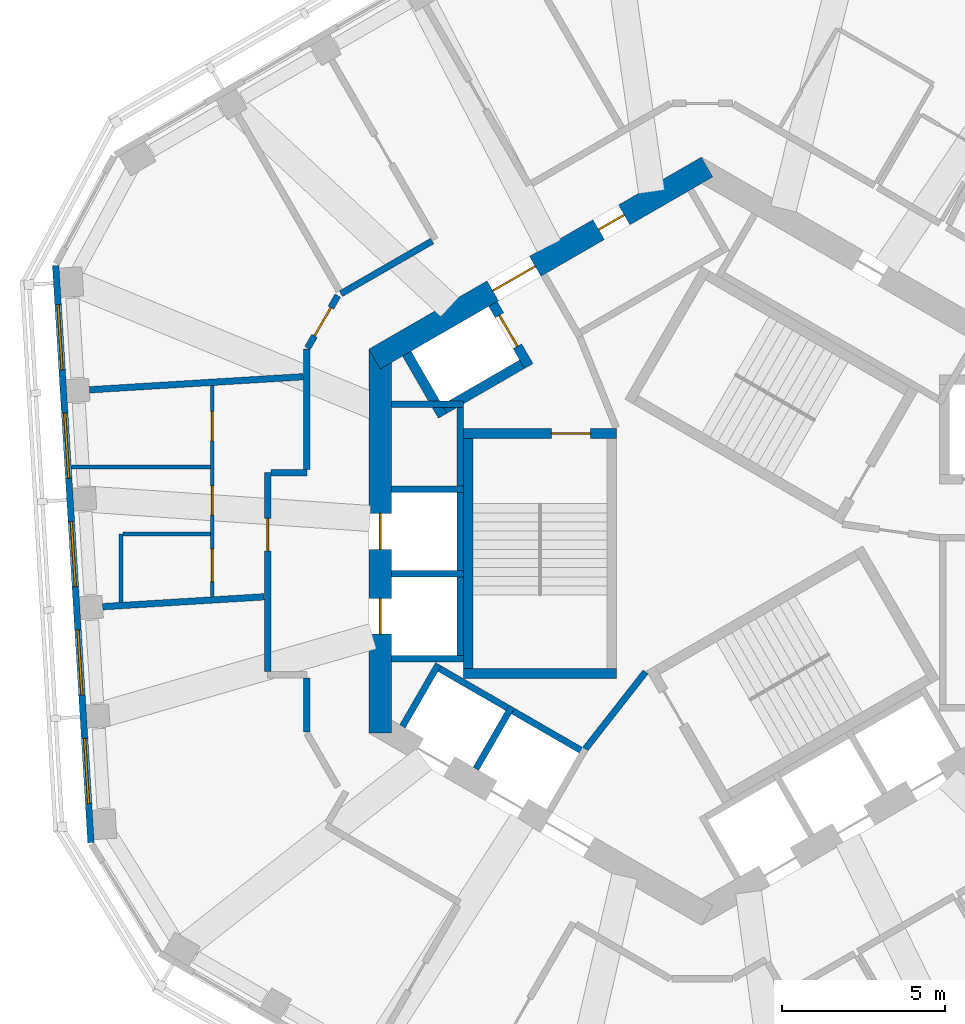
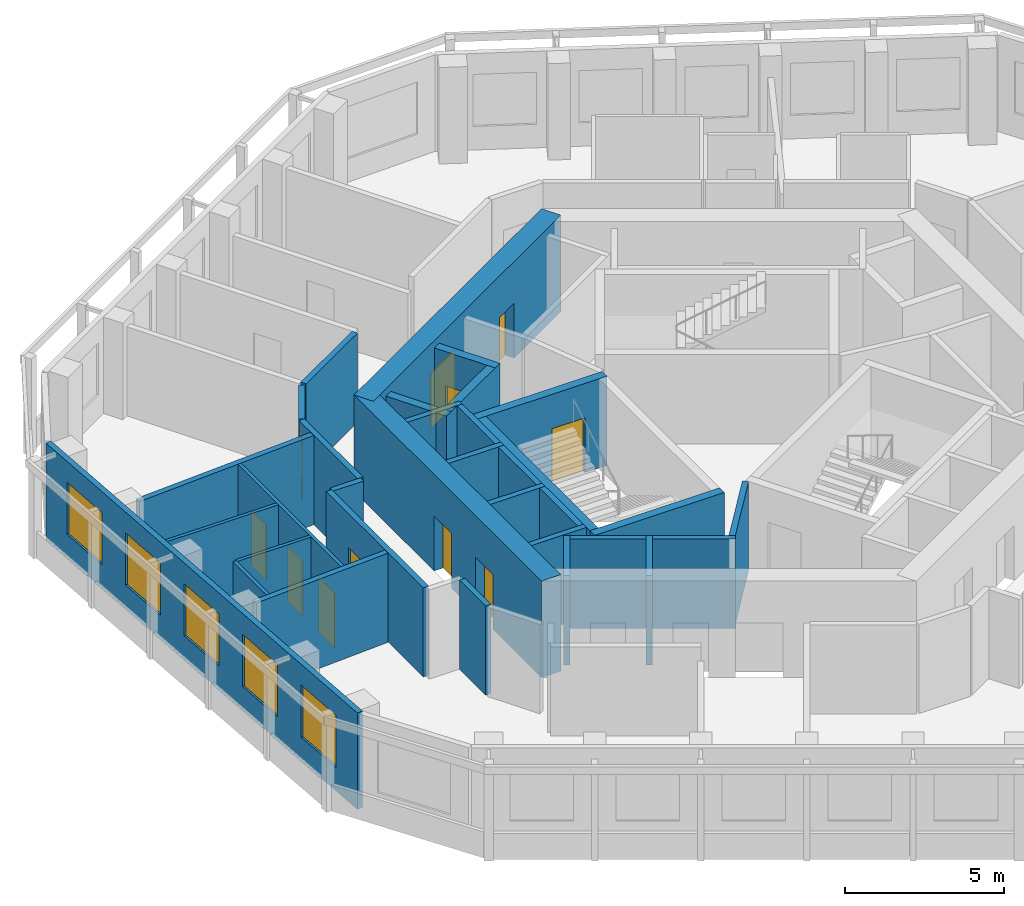
# One storey, part 5 of 11: 30 walls, 11 doors, 5 windows, 16 openings.
"""IFC4 building model written with IfcOpenShell, lengths in metres."""

import ifcopenshell
import ifcopenshell.guid

model = None  # the IFC model being written
_history = None  # IfcOwnerHistory: only IFC2X3 demands one
_inside = {}  # id of a spatial element -> (the spatial element, [elements in it])
_under = {}  # id of a project, library or spatial element -> (it, [spatial elements below it])
_declared = {}  # id of a project -> (the project, [libraries it declares])
_typed = {}  # id of a type object -> (the type object, [elements of that type])
_made_of = {}  # id of a material, layer set ... -> (it, [elements and type objects made of it])


def new_model(schema):
    """Start an empty IFC model of exactly this schema.

    Asked for "IFC4X3", IfcOpenShell would pick the latest addendum, in which some entities
    have other attributes; the version numbers below select the first issue.
    IFC2X3 requires an IfcOwnerHistory on every rooted entity: one is made here for all.
    """
    global model, _history
    if schema == "IFC4X3":
        model = ifcopenshell.file(schema_version=(4, 3, 0, 0))
    else:
        model = ifcopenshell.file(schema=schema)
    _inside.clear()
    _under.clear()
    _declared.clear()
    _typed.clear()
    _made_of.clear()
    _history = None
    if model.schema == "IFC2X3":
        org = make("IfcOrganization", Name="unknown")
        user = make(
            "IfcPersonAndOrganization",
            ThePerson=make("IfcPerson", FamilyName="unknown"),
            TheOrganization=org,
        )
        app = make(
            "IfcApplication",
            ApplicationDeveloper=org,
            Version="unknown",
            ApplicationFullName="unknown",
            ApplicationIdentifier="unknown",
        )
        _history = make(
            "IfcOwnerHistory",
            OwningUser=user,
            OwningApplication=app,
            ChangeAction="ADDED",
            CreationDate=0,
        )
    return model


def make(cls, **values):
    """One entity of the class cls with the attributes given. An attribute that is None is left unset."""
    return model.create_entity(
        cls, **{name: value for name, value in values.items() if value is not None}
    )


def rooted(cls, **values):
    """An entity with a GlobalId (a new one), such as an element, a storey or a relation."""
    return make(cls, GlobalId=ifcopenshell.guid.new(), OwnerHistory=_history, **values)


def si_unit(unit_type, name, prefix=None):
    """IfcSIUnit, for example si_unit("LENGTHUNIT", "METRE", prefix="MILLI")."""
    return make("IfcSIUnit", UnitType=unit_type, Prefix=prefix, Name=name)


def assignment(units):
    """IfcUnitAssignment: the units of a project."""
    return None if units is None else make("IfcUnitAssignment", Units=units)


def point(xyz):
    """IfcCartesianPoint."""
    return None if xyz is None else make("IfcCartesianPoint", Coordinates=xyz)


def direction(xyz):
    """IfcDirection."""
    return None if xyz is None else make("IfcDirection", DirectionRatios=xyz)


def frame(location, z_axis=None, x_axis=None):
    """IfcAxis2Placement3D, a coordinate frame: its origin and axes. An axis left out is left unset."""
    return make(
        "IfcAxis2Placement3D",
        Location=point(location),
        Axis=direction(z_axis),
        RefDirection=direction(x_axis),
    )


def frame_2d(location, x_axis=None):
    """IfcAxis2Placement2D, a coordinate frame in the plane: its origin and x axis."""
    return make(
        "IfcAxis2Placement2D", Location=point(location), RefDirection=direction(x_axis)
    )


def origin():
    """The frame at (0, 0, 0) with its axes left unset."""
    return frame((0.0, 0.0, 0.0))


def place(relative_to, where):
    """IfcLocalPlacement: puts the frame where relative to a parent placement (None: the world)."""
    return make(
        "IfcLocalPlacement", PlacementRelTo=relative_to, RelativePlacement=where
    )


def context(
    kind, dimensions, precision=None, world=None, true_north=None, identifier=None
):
    """IfcGeometricRepresentationContext, for example the 3D "Model" context."""
    return make(
        "IfcGeometricRepresentationContext",
        ContextIdentifier=identifier,
        ContextType=kind,
        CoordinateSpaceDimension=dimensions,
        Precision=precision,
        WorldCoordinateSystem=world,
        TrueNorth=true_north,
    )


def subcontext(parent, identifier, kind, view, scale=None):
    """IfcGeometricRepresentationSubContext, for example "Body" below "Model"."""
    return make(
        "IfcGeometricRepresentationSubContext",
        ContextIdentifier=identifier,
        ContextType=kind,
        ParentContext=parent,
        TargetScale=scale,
        TargetView=view,
    )


def project(units=None, contexts=None):
    """IfcProject with its units and contexts."""
    return rooted(
        "IfcProject",
        Name="project",
        RepresentationContexts=contexts,
        UnitsInContext=assignment(units),
    )


def spatial(cls, under=None, at=None, **own):
    """A site, building, storey or space (cls), placed at a placement, below another one or the project."""
    s = rooted(cls, ObjectPlacement=at, **own)
    if under is not None:
        _under.setdefault(under.id(), (under, []))[1].append(s)
    return s


def profile(cls, at=None, kind="AREA", **sizes):
    """A parametric profile (cls). Its sizes go by their IFC names, for example OverallWidth=200.0."""
    return make(cls, ProfileType=kind, Position=at, **sizes)


def rectangle(**sizes):
    """IfcRectangleProfileDef."""
    return profile("IfcRectangleProfileDef", **sizes)


def extrude(swept, where, along, depth):
    """IfcExtrudedAreaSolid: the profile swept, set in the frame where, extruded along a direction by depth."""
    return make(
        "IfcExtrudedAreaSolid",
        SweptArea=swept,
        Position=where,
        ExtrudedDirection=direction(along),
        Depth=depth,
    )


def shape(context_of_items, identifier, shape_type, items):
    """IfcShapeRepresentation: the items that make up one representation, for example the "Body"."""
    return make(
        "IfcShapeRepresentation",
        ContextOfItems=context_of_items,
        RepresentationIdentifier=identifier,
        RepresentationType=shape_type,
        Items=items,
    )


def material(Name=None, Category=None):
    """IfcMaterial."""
    return make("IfcMaterial", Name=Name, Category=Category)


def layer(
    of_material, thickness, ventilated=None, Name=None, Category=None, Priority=None
):
    """IfcMaterialLayer: one layer of a wall or slab, of a material (None: an air gap)."""
    return make(
        "IfcMaterialLayer",
        Material=of_material,
        LayerThickness=thickness,
        IsVentilated=ventilated,
        Name=Name,
        Category=Category,
        Priority=Priority,
    )


def layer_set(layers, Name=None):
    """IfcMaterialLayerSet."""
    return make("IfcMaterialLayerSet", MaterialLayers=layers, LayerSetName=Name)


def made_of(thing, what):
    """Note that an element or type object is made of a material, layer set ...; save() writes the relation."""
    if what is not None:
        _made_of.setdefault(what.id(), (what, []))[1].append(thing)
    return thing


def type_object(cls, material=None, **own):
    """A type object (cls), such as IfcWallType, which elements share."""
    return made_of(rooted(cls, **own), material)


def element(
    cls,
    number,
    at=None,
    inside=None,
    cuts=None,
    type_object=None,
    material=None,
    context=None,
    identifier="Body",
    shape_type=None,
    held_by="IfcProductDefinitionShape",
    body=None,
    shapes=None,
    **own,
):
    """One element of the class cls, such as IfcWall. Its Tag is "e" and its number.

    at: its placement. inside: the storey or other place that contains it. cuts: it is an
    opening in that element (IfcRelVoidsElement). A single representation is given by context,
    identifier, shape_type and body (its items); several are given by shapes. held_by: the class
    of the entity that holds the representations. save() writes the other relations.
    """
    e = rooted(cls, Tag="e%d" % number, ObjectPlacement=at, **own)
    if body is not None:
        shapes = [shape(context, identifier, shape_type, body)]
    if shapes is not None:
        e.Representation = make(held_by, Representations=shapes)
    if inside is not None:
        _inside.setdefault(inside.id(), (inside, []))[1].append(e)
    if cuts is not None:
        rooted(
            "IfcRelVoidsElement", RelatingBuildingElement=cuts, RelatedOpeningElement=e
        )
    if type_object is not None:
        _typed.setdefault(type_object.id(), (type_object, []))[1].append(e)
    return made_of(e, material)


def fill(opening, filler):
    """IfcRelFillsElement: the door or window that sits in an opening."""
    return rooted(
        "IfcRelFillsElement",
        RelatingOpeningElement=opening,
        RelatedBuildingElement=filler,
    )


def aggregate(whole, parts):
    """IfcRelAggregates: a whole, such as a stair, and the parts it consists of."""
    return rooted("IfcRelAggregates", RelatingObject=whole, RelatedObjects=parts)


def save(model, path):
    """Write the relations noted so far, then the file.

    IfcRelAggregates (storeys below a building ...), IfcRelContainedInSpatialStructure (elements
    in a storey), IfcRelDefinesByType, IfcRelAssociatesMaterial and IfcRelDeclares: one each for
    every whole, place, type object, material and project.
    """
    for whole, parts in _under.values():
        aggregate(whole, parts)
    for where, things in _inside.values():
        rooted(
            "IfcRelContainedInSpatialStructure",
            RelatedElements=things,
            RelatingStructure=where,
        )
    for kind, things in _typed.values():
        rooted("IfcRelDefinesByType", RelatedObjects=things, RelatingType=kind)
    for what, things in _made_of.values():
        rooted("IfcRelAssociatesMaterial", RelatedObjects=things, RelatingMaterial=what)
    for by, libraries in _declared.values():
        rooted("IfcRelDeclares", RelatingContext=by, RelatedDefinitions=libraries)
    model.write(path)


model = new_model("IFC4")

# Units and contexts
model_context = context("Model", 3, precision=1e-05, world=origin(), true_north=direction((0.0, 1.0)))
body_context = subcontext(model_context, "Body", "Model", "MODEL_VIEW")
ifc_project = project(units=[si_unit("LENGTHUNIT", "METRE"), si_unit("AREAUNIT", "SQUARE_METRE"), si_unit("VOLUMEUNIT", "CUBIC_METRE"), si_unit("PLANEANGLEUNIT", "RADIAN"), si_unit("MASSUNIT", "GRAM", prefix="KILO")], contexts=[model_context])

# Site, building, storey
site_placement = place(None, origin())
site = spatial("IfcSite", under=ifc_project, at=site_placement, CompositionType="ELEMENT")
building_placement = place(site_placement, origin())
building = spatial("IfcBuilding", under=site, at=building_placement, Name="Vanh Sen Convention Tower", CompositionType="ELEMENT")
storey_placement = place(building_placement, frame((0.0, 0.0, 293.10009765625)))
storey = spatial("IfcBuildingStorey", under=building, at=storey_placement, Name="L72", CompositionType="ELEMENT", Elevation=293.10009765625)

# Walls
ifc_material_1 = material(Name="Moisture-resistant gypsum board on steel studs", Category="steel")
ifc_layer_1 = layer(ifc_material_1, 0.1201171875)
ifc_layer_set_1 = layer_set([ifc_layer_1], Name="Moisture-resistant gypsum board on steel studs")
wall_type_1 = type_object("IfcWallType", Name="Bathroom partition 120", PredefinedType="PARTITIONING", material=ifc_layer_set_1)
wall_1_placement = place(storey_placement, frame((-19.32421875, 2.273193359375, 0.0), z_axis=(0.0, 0.0, 1.0), x_axis=(1.0, 0.0, 0.0)))
element("IfcWall", 1, at=wall_1_placement, inside=storey, type_object=wall_type_1, Name="Bathroom partition 120", PredefinedType="PARTITIONING", context=body_context, shape_type="SweptSolid", body=[
    extrude(rectangle(XDim=4.26318359375, YDim=0.1201171875, at=frame_2d((2.131591796875, 0.0))), origin(), (0.0, 0.0, 1.0), 3.419921875),
])
wall_2_placement = place(storey_placement, frame((-17.801025390625, 0.226318359375, 0.0), z_axis=(0.0, 0.0, 1.0), x_axis=(0.0, -1.0, 0.0)))
element("IfcWall", 2, at=wall_2_placement, inside=storey, type_object=wall_type_1, Name="Bathroom partition 120", PredefinedType="PARTITIONING", context=body_context, shape_type="SweptSolid", body=[
    extrude(rectangle(XDim=2.10009765625, YDim=0.1201171875, at=frame_2d((1.050048828125, 0.0))), origin(), (0.0, 0.0, 1.0), 3.419921875),
])
wall_3_placement = place(storey_placement, frame((-15.06103515625, 0.226318359375, 0.0), z_axis=(0.0, 0.0, 1.0), x_axis=(-1.0, 0.0, 0.0)))
element("IfcWall", 3, at=wall_3_placement, inside=storey, type_object=wall_type_1, Name="Bathroom partition 120", PredefinedType="PARTITIONING", context=body_context, shape_type="SweptSolid", body=[
    extrude(rectangle(XDim=2.679931640625, YDim=0.1201171875, at=frame_2d((1.33984375, 0.0))), origin(), (0.0, 0.0, 1.0), 3.419921875),
])

# Wall, openings, doors
wall_4_placement = place(storey_placement, frame((-15.0009765625, 4.773193359375, 0.0), z_axis=(0.0, 0.0, 1.0), x_axis=(0.0, -1.0, 0.0)))
wall_4 = element("IfcWall", 4, at=wall_4_placement, inside=storey, type_object=wall_type_1, Name="Bathroom partition 120", PredefinedType="PARTITIONING", context=body_context, shape_type="SweptSolid", body=[
    extrude(rectangle(XDim=6.475830078125, YDim=0.1201171875, at=frame_2d((3.23779296875, 0.0))), origin(), (0.0, 0.0, 1.0), 3.419921875),
])
opening_1_placement = place(wall_4_placement, frame((5.011474609375, 0.0, 0.0)))
opening_1 = element("IfcOpeningElement", 5, at=opening_1_placement, cuts=wall_4, Name="Opening D72111", PredefinedType="OPENING", context=body_context, shape_type="SweptSolid", body=[
    extrude(rectangle(XDim=1.0, YDim=2.10009765625, at=frame_2d((0.5, 1.050048828125))), frame((0.0, 0.070068359375, 0.0), z_axis=(0.0, -1.0, 0.0), x_axis=(1.0, 0.0, 0.0)), (0.0, 0.0, 1.0), 0.14013671875),
])
opening_2_placement = place(wall_4_placement, frame((0.800048828125, 0.0, 0.0)))
opening_2 = element("IfcOpeningElement", 6, at=opening_2_placement, cuts=wall_4, Name="Opening D72112", PredefinedType="OPENING", context=body_context, shape_type="SweptSolid", body=[
    extrude(rectangle(XDim=0.89990234375, YDim=2.10009765625, at=frame_2d((0.449951171875, 1.050048828125))), frame((0.0, 0.070068359375, 0.0), z_axis=(0.0, -1.0, 0.0), x_axis=(1.0, 0.0, 0.0)), (0.0, 0.0, 1.0), 0.14013671875),
])
opening_3_placement = place(wall_4_placement, frame((3.073486328125, 0.0, 0.0)))
opening_3 = element("IfcOpeningElement", 7, at=opening_3_placement, cuts=wall_4, Name="Opening D72113", PredefinedType="OPENING", context=body_context, shape_type="SweptSolid", body=[
    extrude(rectangle(XDim=0.89990234375, YDim=2.10009765625, at=frame_2d((0.449951171875, 1.050048828125))), frame((0.0, 0.070068359375, 0.0), z_axis=(0.0, -1.0, 0.0), x_axis=(1.0, 0.0, 0.0)), (0.0, 0.0, 1.0), 0.14013671875),
])
ifc_material_2 = material(Name="Laminate door in steel frame", Category="steel")
door_type_1 = type_object("IfcDoorType", Name="Accessible WC door 1000", OperationType="SINGLE_SWING_LEFT", PredefinedType="DOOR", material=ifc_material_2)
door_1_placement = place(opening_1_placement, origin())
door_1 = element("IfcDoor", 8, at=door_1_placement, inside=storey, type_object=door_type_1, Name="Accessible WC door D72111", OperationType="SINGLE_SWING_LEFT", OverallHeight=2.10009765625, OverallWidth=1.0, PredefinedType="DOOR", context=body_context, shape_type="SweptSolid", body=[
    extrude(rectangle(XDim=1.0, YDim=2.10009765625, at=frame_2d((0.5, 1.050048828125))), frame((0.0, 0.02490234375, 0.0), z_axis=(0.0, -1.0, 0.0), x_axis=(1.0, 0.0, 0.0)), (0.0, 0.0, 1.0), 0.050048828125),
])
fill(opening_1, door_1)
door_type_2 = type_object("IfcDoorType", Name="Room internal door 900", OperationType="SINGLE_SWING_LEFT", PredefinedType="DOOR", material=ifc_material_2)
door_2_placement = place(opening_2_placement, origin())
door_2 = element("IfcDoor", 9, at=door_2_placement, inside=storey, type_object=door_type_2, Name="Internal room door D72112", OperationType="SINGLE_SWING_LEFT", OverallHeight=2.10009765625, OverallWidth=0.89990234375, PredefinedType="DOOR", context=body_context, shape_type="SweptSolid", body=[
    extrude(rectangle(XDim=0.89990234375, YDim=2.10009765625, at=frame_2d((0.449951171875, 1.050048828125))), frame((0.0, 0.02490234375, 0.0), z_axis=(0.0, -1.0, 0.0), x_axis=(1.0, 0.0, 0.0)), (0.0, 0.0, 1.0), 0.050048828125),
])
fill(opening_2, door_2)
door_3_placement = place(opening_3_placement, origin())
door_3 = element("IfcDoor", 10, at=door_3_placement, inside=storey, type_object=door_type_2, Name="Internal room door D72113", OperationType="SINGLE_SWING_LEFT", OverallHeight=2.10009765625, OverallWidth=0.89990234375, PredefinedType="DOOR", context=body_context, shape_type="SweptSolid", body=[
    extrude(rectangle(XDim=0.89990234375, YDim=2.10009765625, at=frame_2d((0.449951171875, 1.050048828125))), frame((0.0, 0.02490234375, 0.0), z_axis=(0.0, -1.0, 0.0), x_axis=(1.0, 0.0, 0.0)), (0.0, 0.0, 1.0), 0.050048828125),
])
fill(opening_3, door_3)

ifc_material_3 = material(Name="Concrete C60/75", Category="concrete")
ifc_layer_2 = layer(ifc_material_3, 0.699951171875)
ifc_layer_set_2 = layer_set([ifc_layer_2], Name="Concrete C60/75")
wall_type_2 = type_object("IfcWallType", Name="Core outer wall 700 C60/75", PredefinedType="SHEAR", material=ifc_layer_set_2)
wall_5_placement = place(storey_placement, frame((0.175048828125, 11.474853515625, 0.0), z_axis=(0.0, 0.0, 1.0), x_axis=(-0.866026453023, -0.499998182661, 0.0)))
wall_5 = element("IfcWall", 11, at=wall_5_placement, inside=storey, type_object=wall_type_2, Name="Core wall face NW L72", PredefinedType="SHEAR", context=body_context, shape_type="SweptSolid", body=[
    extrude(rectangle(XDim=11.77783203125, YDim=0.699951171875, at=frame_2d((5.888916015625, 0.0))), origin(), (0.0, 0.0, 1.0), 3.699951171875),
])
opening_4_placement = place(wall_5_placement, frame((6.089111328125, 0.0, 0.0)))
opening_4 = element("IfcOpeningElement", 12, at=opening_4_placement, cuts=wall_5, Name="Opening D72002", PredefinedType="OPENING", context=body_context, shape_type="SweptSolid", body=[
    extrude(rectangle(XDim=1.5, YDim=2.10009765625, at=frame_2d((0.75, 1.050048828125))), frame((0.0, 0.35986328125, 0.0), z_axis=(0.0, -1.0, 0.0), x_axis=(1.0, 0.0, 0.0)), (0.0, 0.0, 1.0), 0.719970703125),
])
opening_5_placement = place(wall_5_placement, frame((2.93896484375, 0.0, 0.0)))
opening_5 = element("IfcOpeningElement", 13, at=opening_5_placement, cuts=wall_5, Name="Opening D72010", PredefinedType="OPENING", context=body_context, shape_type="SweptSolid", body=[
    extrude(rectangle(XDim=0.89990234375, YDim=2.10009765625, at=frame_2d((0.449951171875, 1.050048828125))), frame((0.0, 0.35986328125, 0.0), z_axis=(0.0, -1.0, 0.0), x_axis=(1.0, 0.0, 0.0)), (0.0, 0.0, 1.0), 0.719970703125),
])
ifc_material_4 = material(Name="Steel S355", Category="steel")
door_type_3 = type_object("IfcDoorType", Name="Plant door 900", OperationType="SINGLE_SWING_LEFT", PredefinedType="DOOR", material=ifc_material_4)
door_4_placement = place(opening_5_placement, origin())
door_4 = element("IfcDoor", 14, at=door_4_placement, inside=storey, type_object=door_type_3, Name="Plant door D72010", OperationType="SINGLE_SWING_LEFT", OverallHeight=2.10009765625, OverallWidth=0.89990234375, PredefinedType="DOOR", context=body_context, shape_type="SweptSolid", body=[
    extrude(rectangle(XDim=0.89990234375, YDim=2.10009765625, at=frame_2d((0.449951171875, 1.050048828125))), frame((0.0, 0.02490234375, 0.0), z_axis=(0.0, -1.0, 0.0), x_axis=(1.0, 0.0, 0.0)), (0.0, 0.0, 1.0), 0.050048828125),
])
fill(opening_5, door_4)
door_type_4 = type_object("IfcDoorType", Name="Stair lobby door 1500", OperationType="DOUBLE_DOOR_SINGLE_SWING", PredefinedType="DOOR", material=ifc_material_4)
door_5_placement = place(opening_4_placement, origin())
door_5 = element("IfcDoor", 15, at=door_5_placement, inside=storey, type_object=door_type_4, Name="Stair lobby door D72002", OperationType="DOUBLE_DOOR_SINGLE_SWING", OverallHeight=2.10009765625, OverallWidth=1.5, PredefinedType="DOOR", context=body_context, shape_type="SweptSolid", body=[
    extrude(rectangle(XDim=1.5, YDim=2.10009765625, at=frame_2d((0.75, 1.050048828125))), frame((0.0, 0.02490234375, 0.0), z_axis=(0.0, -1.0, 0.0), x_axis=(1.0, 0.0, 0.0)), (0.0, 0.0, 1.0), 0.050048828125),
])
fill(opening_4, door_5)

wall_6_placement = place(storey_placement, frame((-9.85009765625, 5.888916015625, 0.0), z_axis=(0.0, 0.0, 1.0), x_axis=(0.0, -1.0, 0.0)))
wall_6 = element("IfcWall", 16, at=wall_6_placement, inside=storey, type_object=wall_type_2, Name="Core wall face W L72", PredefinedType="SHEAR", context=body_context, shape_type="SweptSolid", body=[
    extrude(rectangle(XDim=11.77783203125, YDim=0.699951171875, at=frame_2d((5.888916015625, 0.0))), origin(), (0.0, 0.0, 1.0), 3.699951171875),
])
opening_6_placement = place(wall_6_placement, frame((5.0390625, 0.0, 0.0)))
opening_6 = element("IfcOpeningElement", 17, at=opening_6_placement, cuts=wall_6, Name="Opening LD-HR1", PredefinedType="OPENING", context=body_context, shape_type="SweptSolid", body=[
    extrude(rectangle(XDim=1.10009765625, YDim=2.10009765625, at=frame_2d((0.550048828125, 1.050048828125))), frame((0.0, 0.35986328125, 0.0), z_axis=(0.0, -1.0, 0.0), x_axis=(1.0, 0.0, 0.0)), (0.0, 0.0, 1.0), 0.719970703125),
])
opening_7_placement = place(wall_6_placement, frame((7.638916015625, 0.0, 0.0)))
opening_7 = element("IfcOpeningElement", 18, at=opening_7_placement, cuts=wall_6, Name="Opening LD-HR2", PredefinedType="OPENING", context=body_context, shape_type="SweptSolid", body=[
    extrude(rectangle(XDim=1.10009765625, YDim=2.10009765625, at=frame_2d((0.550048828125, 1.050048828125))), frame((0.0, 0.35986328125, 0.0), z_axis=(0.0, -1.0, 0.0), x_axis=(1.0, 0.0, 0.0)), (0.0, 0.0, 1.0), 0.719970703125),
])
ifc_material_5 = material(Name="Stainless steel", Category="steel")
door_type_5 = type_object("IfcDoorType", Name="Lift landing door 1100", OperationType="DOUBLE_DOOR_SLIDING", PredefinedType="DOOR", material=ifc_material_5)
door_6_placement = place(opening_6_placement, origin())
door_6 = element("IfcDoor", 19, at=door_6_placement, inside=storey, type_object=door_type_5, Name="Lift HR1 landing door LD-HR1", OperationType="DOUBLE_DOOR_SLIDING", OverallHeight=2.10009765625, OverallWidth=1.10009765625, PredefinedType="DOOR", context=body_context, shape_type="SweptSolid", body=[
    extrude(rectangle(XDim=1.10009765625, YDim=2.10009765625, at=frame_2d((0.550048828125, 1.050048828125))), frame((0.0, 0.02490234375, 0.0), z_axis=(0.0, -1.0, 0.0), x_axis=(1.0, 0.0, 0.0)), (0.0, 0.0, 1.0), 0.050048828125),
])
fill(opening_6, door_6)
door_7_placement = place(opening_7_placement, origin())
door_7 = element("IfcDoor", 20, at=door_7_placement, inside=storey, type_object=door_type_5, Name="Lift HR2 landing door LD-HR2", OperationType="DOUBLE_DOOR_SLIDING", OverallHeight=2.10009765625, OverallWidth=1.10009765625, PredefinedType="DOOR", context=body_context, shape_type="SweptSolid", body=[
    extrude(rectangle(XDim=1.10009765625, YDim=2.10009765625, at=frame_2d((0.550048828125, 1.050048828125))), frame((0.0, 0.02490234375, 0.0), z_axis=(0.0, -1.0, 0.0), x_axis=(1.0, 0.0, 0.0)), (0.0, 0.0, 1.0), 0.050048828125),
])
fill(opening_7, door_7)

# Wall, opening, door
ifc_material_6 = material(Name="Gypsum board on steel studs with mineral wool", Category="steel")
ifc_layer_3 = layer(ifc_material_6, 0.199951171875)
ifc_layer_set_3 = layer_set([ifc_layer_3], Name="Gypsum board on steel studs with mineral wool")
wall_type_3 = type_object("IfcWallType", Name="Corridor partition wall 200", PredefinedType="PARTITIONING", material=ifc_layer_set_3)
wall_7_placement = place(storey_placement, frame((-13.301025390625, 2.10107421875, 0.0), z_axis=(0.0, 0.0, 1.0), x_axis=(0.0, -1.0, 0.0)))
wall_7 = element("IfcWall", 21, at=wall_7_placement, inside=storey, type_object=wall_type_3, Name="Corridor partition wall 200", PredefinedType="PARTITIONING", context=body_context, shape_type="SweptSolid", body=[
    extrude(rectangle(XDim=6.10205078125, YDim=0.199951171875, at=frame_2d((3.051025390625, 0.0))), origin(), (0.0, 0.0, 1.0), 3.419921875),
])
opening_8_placement = place(wall_7_placement, frame((1.39990234375, 0.0, 0.0)))
opening_8 = element("IfcOpeningElement", 22, at=opening_8_placement, cuts=wall_7, Name="Opening D72110", PredefinedType="OPENING", context=body_context, shape_type="SweptSolid", body=[
    extrude(rectangle(XDim=1.0, YDim=2.10009765625, at=frame_2d((0.5, 1.050048828125))), frame((0.0, 0.10986328125, 0.0), z_axis=(0.0, -1.0, 0.0), x_axis=(1.0, 0.0, 0.0)), (0.0, 0.0, 1.0), 0.219970703125),
])
ifc_material_7 = material(Name="Timber fire door in steel frame", Category="steel")
door_type_6 = type_object("IfcDoorType", Name="Floor room door 1000", OperationType="SINGLE_SWING_LEFT", PredefinedType="DOOR", material=ifc_material_7)
door_8_placement = place(opening_8_placement, origin())
door_8 = element("IfcDoor", 23, at=door_8_placement, inside=storey, type_object=door_type_6, Name="Meeting and amenity room door D72110", OperationType="SINGLE_SWING_LEFT", OverallHeight=2.10009765625, OverallWidth=1.0, PredefinedType="DOOR", context=body_context, shape_type="SweptSolid", body=[
    extrude(rectangle(XDim=1.0, YDim=2.10009765625, at=frame_2d((0.5, 1.050048828125))), frame((0.0, 0.02490234375, 0.0), z_axis=(0.0, -1.0, 0.0), x_axis=(1.0, 0.0, 0.0)), (0.0, 0.0, 1.0), 0.050048828125),
])
fill(opening_8, door_8)

# Walls
wall_8_placement = place(storey_placement, frame((-12.10009765625, -4.200927734375, 0.0), z_axis=(0.0, 0.0, 1.0), x_axis=(0.0, -1.0, 0.0)))
element("IfcWall", 24, at=wall_8_placement, inside=storey, type_object=wall_type_3, Name="Corridor partition wall 200", PredefinedType="PARTITIONING", context=body_context, shape_type="SweptSolid", body=[
    extrude(rectangle(XDim=1.648193359375, YDim=0.199951171875, at=frame_2d((0.82421875, 0.0))), origin(), (0.0, 0.0, 1.0), 3.419921875),
])
wall_9_placement = place(storey_placement, frame((-12.10009765625, 2.10107421875, 0.0), z_axis=(0.0, 0.0, 1.0), x_axis=(-1.0, 0.0, 0.0)))
element("IfcWall", 25, at=wall_9_placement, inside=storey, type_object=wall_type_3, Name="Corridor partition wall 200", PredefinedType="PARTITIONING", context=body_context, shape_type="SweptSolid", body=[
    extrude(rectangle(XDim=1.100830078125, YDim=0.199951171875, at=frame_2d((0.55029296875, 0.0))), origin(), (0.0, 0.0, 1.0), 3.419921875),
])
wall_10_placement = place(storey_placement, frame((-12.10009765625, 5.888916015625, 0.0), z_axis=(0.0, 0.0, 1.0), x_axis=(0.0, -1.0, 0.0)))
element("IfcWall", 26, at=wall_10_placement, inside=storey, type_object=wall_type_3, Name="Corridor partition wall 200", PredefinedType="PARTITIONING", context=body_context, shape_type="SweptSolid", body=[
    extrude(rectangle(XDim=3.68798828125, YDim=0.199951171875, at=frame_2d((1.843994140625, 0.0))), origin(), (0.0, 0.0, 1.0), 3.419921875),
])

# Wall, opening, door
wall_11_placement = place(storey_placement, frame((-11.14990234375, 7.534423828125, 0.0), z_axis=(0.0, 0.0, 1.0), x_axis=(-0.500063286585, -0.865988862174, 0.0)))
wall_11 = element("IfcWall", 27, at=wall_11_placement, inside=storey, type_object=wall_type_3, Name="Corridor partition wall 200", PredefinedType="PARTITIONING", context=body_context, shape_type="SweptSolid", body=[
    extrude(rectangle(XDim=1.860107421875, YDim=0.199951171875, at=frame_2d((0.93017578125, 0.0))), origin(), (0.0, 0.0, 1.0), 3.419921875),
])
opening_9_placement = place(wall_11_placement, frame((0.43017578125, 0.0, 0.0)))
opening_9 = element("IfcOpeningElement", 28, at=opening_9_placement, cuts=wall_11, Name="Opening D72109", PredefinedType="OPENING", context=body_context, shape_type="SweptSolid", body=[
    extrude(rectangle(XDim=1.0, YDim=2.10009765625, at=frame_2d((0.5, 1.050048828125))), frame((0.0, 0.10986328125, 0.0), z_axis=(0.0, -1.0, 0.0), x_axis=(1.0, 0.0, 0.0)), (0.0, 0.0, 1.0), 0.219970703125),
])
ifc_material_8 = material(Name="Glazed fire door in steel frame", Category="steel")
door_type_7 = type_object("IfcDoorType", Name="Tenant entrance door 1000", OperationType="SINGLE_SWING_LEFT", PredefinedType="DOOR", material=ifc_material_8)
door_9_placement = place(opening_9_placement, origin())
door_9 = element("IfcDoor", 29, at=door_9_placement, inside=storey, type_object=door_type_7, Name="Tenant suite entrance door D72109", OperationType="SINGLE_SWING_LEFT", OverallHeight=2.10009765625, OverallWidth=1.0, PredefinedType="DOOR", context=body_context, shape_type="SweptSolid", body=[
    extrude(rectangle(XDim=1.0, YDim=2.10009765625, at=frame_2d((0.5, 1.050048828125))), frame((0.0, 0.02490234375, 0.0), z_axis=(0.0, -1.0, 0.0), x_axis=(1.0, 0.0, 0.0)), (0.0, 0.0, 1.0), 0.050048828125),
])
fill(opening_9, door_9)

# Wall
wall_12_placement = place(storey_placement, frame((-8.2568359375, 9.204833984375, 0.0), z_axis=(0.0, 0.0, 1.0), x_axis=(-0.866030838723, -0.499990586292, 0.0)))
element("IfcWall", 30, at=wall_12_placement, inside=storey, type_object=wall_type_3, Name="Corridor partition wall 200", PredefinedType="PARTITIONING", context=body_context, shape_type="SweptSolid", body=[
    extrude(rectangle(XDim=3.2314453125, YDim=0.199951171875, at=frame_2d((1.61572265625, 0.0))), origin(), (0.0, 0.0, 1.0), 3.419921875),
])

# Wall, openings, windows
ifc_material_9 = material(Name="Insulated lightweight infill wall")
ifc_layer_4 = layer(ifc_material_9, 0.199951171875)
ifc_layer_set_4 = layer_set([ifc_layer_4], Name="Insulated lightweight infill wall")
wall_type_4 = type_object("IfcWallType", Name="External wall 200", PredefinedType="STANDARD", material=ifc_layer_set_4)
wall_13_placement = place(storey_placement, frame((-19.802978515625, 8.4541015625, 0.0), z_axis=(0.0, 0.0, 1.0), x_axis=(0.061036717565, -0.998135521414, 0.0)))
wall_13 = element("IfcWall", 31, at=wall_13_placement, inside=storey, type_object=wall_type_4, Name="External wall W L72", PredefinedType="STANDARD", context=body_context, shape_type="SweptSolid", body=[
    extrude(rectangle(XDim=17.7314453125, YDim=0.199951171875, at=frame_2d((8.86572265625, 0.0))), origin(), (0.0, 0.0, 1.0), 3.699951171875),
])
opening_10_placement = place(wall_13_placement, frame((1.20166015625, 0.0, 0.89990234375)))
opening_10 = element("IfcOpeningElement", 32, at=opening_10_placement, cuts=wall_13, Name="Opening WO5-W1", PredefinedType="OPENING", context=body_context, shape_type="SweptSolid", body=[
    extrude(rectangle(XDim=2.0, YDim=2.0, at=frame_2d((1.0, 1.0))), frame((0.0, 0.10986328125, 0.0), z_axis=(0.0, -1.0, 0.0), x_axis=(1.0, 0.0, 0.0)), (0.0, 0.0, 1.0), 0.219970703125),
])
opening_11_placement = place(wall_13_placement, frame((4.533203125, 0.0, 0.89990234375)))
opening_11 = element("IfcOpeningElement", 33, at=opening_11_placement, cuts=wall_13, Name="Opening WO5-W2", PredefinedType="OPENING", context=body_context, shape_type="SweptSolid", body=[
    extrude(rectangle(XDim=2.0, YDim=2.0, at=frame_2d((1.0, 1.0))), frame((0.0, 0.10986328125, 0.0), z_axis=(0.0, -1.0, 0.0), x_axis=(1.0, 0.0, 0.0)), (0.0, 0.0, 1.0), 0.219970703125),
])
opening_12_placement = place(wall_13_placement, frame((7.864990234375, 0.0, 0.89990234375)))
opening_12 = element("IfcOpeningElement", 34, at=opening_12_placement, cuts=wall_13, Name="Opening WO5-W3", PredefinedType="OPENING", context=body_context, shape_type="SweptSolid", body=[
    extrude(rectangle(XDim=2.0, YDim=2.0, at=frame_2d((1.0, 1.0))), frame((0.0, 0.10986328125, 0.0), z_axis=(0.0, -1.0, 0.0), x_axis=(1.0, 0.0, 0.0)), (0.0, 0.0, 1.0), 0.219970703125),
])
opening_13_placement = place(wall_13_placement, frame((11.196533203125, 0.0, 0.89990234375)))
opening_13 = element("IfcOpeningElement", 35, at=opening_13_placement, cuts=wall_13, Name="Opening WO5-W4", PredefinedType="OPENING", context=body_context, shape_type="SweptSolid", body=[
    extrude(rectangle(XDim=2.0, YDim=2.0, at=frame_2d((1.0, 1.0))), frame((0.0, 0.10986328125, 0.0), z_axis=(0.0, -1.0, 0.0), x_axis=(1.0, 0.0, 0.0)), (0.0, 0.0, 1.0), 0.219970703125),
])
opening_14_placement = place(wall_13_placement, frame((14.5283203125, 0.0, 0.89990234375)))
opening_14 = element("IfcOpeningElement", 36, at=opening_14_placement, cuts=wall_13, Name="Opening WO5-W5", PredefinedType="OPENING", context=body_context, shape_type="SweptSolid", body=[
    extrude(rectangle(XDim=2.0, YDim=2.0, at=frame_2d((1.0, 1.0))), frame((0.0, 0.10986328125, 0.0), z_axis=(0.0, -1.0, 0.0), x_axis=(1.0, 0.0, 0.0)), (0.0, 0.0, 1.0), 0.219970703125),
])
ifc_material_10 = material(Name="Aluminium frame with clear low-emissivity glass", Category="aluminium")
window_type = type_object("IfcWindowType", Name="Office window 2000 x 2000", PartitioningType="SINGLE_PANEL", PredefinedType="WINDOW", material=ifc_material_10)
window_1_placement = place(opening_10_placement, origin())
window_1 = element("IfcWindow", 37, at=window_1_placement, inside=storey, type_object=window_type, Name="Window WO5-W1", OverallHeight=2.0, OverallWidth=2.0, PartitioningType="SINGLE_PANEL", PredefinedType="WINDOW", context=body_context, shape_type="SweptSolid", body=[
    extrude(rectangle(XDim=2.0, YDim=2.0, at=frame_2d((1.0, 1.0))), frame((0.0, 0.030029296875, 0.0), z_axis=(0.0, -1.0, 0.0), x_axis=(1.0, 0.0, 0.0)), (0.0, 0.0, 1.0), 0.06005859375),
])
fill(opening_10, window_1)
window_2_placement = place(opening_11_placement, origin())
window_2 = element("IfcWindow", 38, at=window_2_placement, inside=storey, type_object=window_type, Name="Window WO5-W2", OverallHeight=2.0, OverallWidth=2.0, PartitioningType="SINGLE_PANEL", PredefinedType="WINDOW", context=body_context, shape_type="SweptSolid", body=[
    extrude(rectangle(XDim=2.0, YDim=2.0, at=frame_2d((1.0, 1.0))), frame((0.0, 0.030029296875, 0.0), z_axis=(0.0, -1.0, 0.0), x_axis=(1.0, 0.0, 0.0)), (0.0, 0.0, 1.0), 0.06005859375),
])
fill(opening_11, window_2)
window_3_placement = place(opening_12_placement, origin())
window_3 = element("IfcWindow", 39, at=window_3_placement, inside=storey, type_object=window_type, Name="Window WO5-W3", OverallHeight=2.0, OverallWidth=2.0, PartitioningType="SINGLE_PANEL", PredefinedType="WINDOW", context=body_context, shape_type="SweptSolid", body=[
    extrude(rectangle(XDim=2.0, YDim=2.0, at=frame_2d((1.0, 1.0))), frame((0.0, 0.030029296875, 0.0), z_axis=(0.0, -1.0, 0.0), x_axis=(1.0, 0.0, 0.0)), (0.0, 0.0, 1.0), 0.06005859375),
])
fill(opening_12, window_3)
window_4_placement = place(opening_13_placement, origin())
window_4 = element("IfcWindow", 40, at=window_4_placement, inside=storey, type_object=window_type, Name="Window WO5-W4", OverallHeight=2.0, OverallWidth=2.0, PartitioningType="SINGLE_PANEL", PredefinedType="WINDOW", context=body_context, shape_type="SweptSolid", body=[
    extrude(rectangle(XDim=2.0, YDim=2.0, at=frame_2d((1.0, 1.0))), frame((0.0, 0.030029296875, 0.0), z_axis=(0.0, -1.0, 0.0), x_axis=(1.0, 0.0, 0.0)), (0.0, 0.0, 1.0), 0.06005859375),
])
fill(opening_13, window_4)
window_5_placement = place(opening_14_placement, origin())
window_5 = element("IfcWindow", 41, at=window_5_placement, inside=storey, type_object=window_type, Name="Window WO5-W5", OverallHeight=2.0, OverallWidth=2.0, PartitioningType="SINGLE_PANEL", PredefinedType="WINDOW", context=body_context, shape_type="SweptSolid", body=[
    extrude(rectangle(XDim=2.0, YDim=2.0, at=frame_2d((1.0, 1.0))), frame((0.0, 0.030029296875, 0.0), z_axis=(0.0, -1.0, 0.0), x_axis=(1.0, 0.0, 0.0)), (0.0, 0.0, 1.0), 0.06005859375),
])
fill(opening_14, window_5)

# Wall, opening, door
ifc_layer_5 = layer(ifc_material_3, 0.300048828125)
ifc_layer_set_5 = layer_set([ifc_layer_5], Name="Concrete C60/75")
wall_type_5 = type_object("IfcWallType", Name="Fire-fighting lift shaft wall 300", PredefinedType="SHEAR", material=ifc_layer_set_5)
wall_14_placement = place(storey_placement, frame((-5.29541015625, 5.3720703125, 0.0), z_axis=(0.0, 0.0, 1.0), x_axis=(-0.500077893725, 0.86598042715, 0.0)))
wall_14 = element("IfcWall", 42, at=wall_14_placement, inside=storey, type_object=wall_type_5, Name="Fire-fighting lift shaft wall L72", PredefinedType="SHEAR", context=body_context, shape_type="SweptSolid", body=[
    extrude(rectangle(XDim=2.199951171875, YDim=0.300048828125, at=frame_2d((1.10009765625, 0.0))), origin(), (0.0, 0.0, 1.0), 3.419921875),
])
opening_15_placement = place(wall_14_placement, frame((0.699951171875, 0.0, 0.0)))
opening_15 = element("IfcOpeningElement", 43, at=opening_15_placement, cuts=wall_14, Name="Opening LD-FF2", PredefinedType="OPENING", context=body_context, shape_type="SweptSolid", body=[
    extrude(rectangle(XDim=1.10009765625, YDim=2.10009765625, at=frame_2d((0.550048828125, 1.050048828125))), frame((0.0, 0.159912109375, 0.0), z_axis=(0.0, -1.0, 0.0), x_axis=(1.0, 0.0, 0.0)), (0.0, 0.0, 1.0), 0.320068359375),
])
door_type_8 = type_object("IfcDoorType", Name="Fire-fighting lift landing door 1100", OperationType="DOUBLE_DOOR_SLIDING", PredefinedType="DOOR", material=ifc_material_5)
door_10_placement = place(opening_15_placement, origin())
door_10 = element("IfcDoor", 44, at=door_10_placement, inside=storey, type_object=door_type_8, Name="Lift FF2 landing door LD-FF2", OperationType="DOUBLE_DOOR_SLIDING", OverallHeight=2.10009765625, OverallWidth=1.10009765625, PredefinedType="DOOR", context=body_context, shape_type="SweptSolid", body=[
    extrude(rectangle(XDim=1.10009765625, YDim=2.10009765625, at=frame_2d((0.550048828125, 1.050048828125))), frame((0.0, 0.02490234375, 0.0), z_axis=(0.0, -1.0, 0.0), x_axis=(1.0, 0.0, 0.0)), (0.0, 0.0, 1.0), 0.050048828125),
])
fill(opening_15, door_10)

# Walls
wall_15_placement = place(storey_placement, frame((-5.240478515625, 5.576904296875, 0.0), z_axis=(0.0, 0.0, 1.0), x_axis=(-0.866014461049, -0.500018952895, 0.0)))
element("IfcWall", 45, at=wall_15_placement, inside=storey, type_object=wall_type_5, Name="Fire-fighting lift shaft wall L72", PredefinedType="SHEAR", context=body_context, shape_type="SweptSolid", body=[
    extrude(rectangle(XDim=3.349853515625, YDim=0.300048828125, at=frame_2d((1.6748046875, 0.0))), origin(), (0.0, 0.0, 1.0), 3.419921875),
])
wall_16_placement = place(storey_placement, frame((-7.936767578125, 3.846923828125, 0.0), z_axis=(0.0, 0.0, 1.0), x_axis=(-0.50002983664, 0.866008176907, 0.0)))
element("IfcWall", 46, at=wall_16_placement, inside=storey, type_object=wall_type_5, Name="Fire-fighting lift shaft wall L72", PredefinedType="SHEAR", context=body_context, shape_type="SweptSolid", body=[
    extrude(rectangle(XDim=2.199951171875, YDim=0.300048828125, at=frame_2d((1.10009765625, 0.0))), origin(), (0.0, 0.0, 1.0), 3.419921875),
])
ifc_material_11 = material(Name="Concrete C40/50", Category="concrete")
ifc_layer_6 = layer(ifc_material_11, 0.199951171875)
ifc_layer_set_6 = layer_set([ifc_layer_6], Name="Concrete C40/50")
wall_type_6 = type_object("IfcWallType", Name="Lift shaft wall 200", PredefinedType="PARTITIONING", material=ifc_layer_set_6)
wall_17_placement = place(storey_placement, frame((-7.39990234375, 4.300048828125, 0.0), z_axis=(0.0, 0.0, 1.0), x_axis=(0.0, -1.0, 0.0)))
element("IfcWall", 47, at=wall_17_placement, inside=storey, type_object=wall_type_6, Name="Lift shaft wall L72", PredefinedType="PARTITIONING", context=body_context, shape_type="SweptSolid", body=[
    extrude(rectangle(XDim=8.0, YDim=0.199951171875, at=frame_2d((4.0, 0.0))), origin(), (0.0, 0.0, 1.0), 3.419921875),
])
for number, where, z_axis, x_axis, name in (
    (48, (-7.300048828125, 4.199951171875, 0.0), (0.0, 0.0, 1.0), (-1.0, 0.0, 0.0), "Lift shaft wall L72"),
    (49, (-7.300048828125, 1.60009765625, 0.0), (0.0, 0.0, 1.0), (-1.0, 0.0, 0.0), "Lift shaft wall L72"),
    (50, (-7.300048828125, -1.0, 0.0), (0.0, 0.0, 1.0), (-1.0, 0.0, 0.0), "Lift shaft wall L72"),
    (51, (-7.300048828125, -3.60009765625, 0.0), (0.0, 0.0, 1.0), (-1.0, 0.0, 0.0), "Lift shaft wall L72"),
):
    element("IfcWall", number, at=place(storey_placement, frame(where, z_axis=z_axis, x_axis=x_axis)), inside=storey, type_object=wall_type_6, Name=name, PredefinedType="PARTITIONING", context=body_context, shape_type="SweptSolid", body=[
        extrude(rectangle(XDim=2.199951171875, YDim=0.199951171875, at=frame_2d((1.10009765625, 0.0))), origin(), (0.0, 0.0, 1.0), 3.419921875),
    ])
wall_18_placement = place(storey_placement, frame((-8.203369140625, -3.80859375, 0.0), z_axis=(0.0, 0.0, 1.0), x_axis=(0.866028230842, -0.499995103361, 0.0)))
element("IfcWall", 52, at=wall_18_placement, inside=storey, type_object=wall_type_6, Name="Lift shaft wall L72", PredefinedType="PARTITIONING", context=body_context, shape_type="SweptSolid", body=[
    extrude(rectangle(XDim=5.39990234375, YDim=0.199951171875, at=frame_2d((2.699951171875, 0.0))), origin(), (0.0, 0.0, 1.0), 3.419921875),
])
for number, where, z_axis, x_axis, name in (
    (53, (-8.066650390625, -3.77197265625, 0.0), (0.0, 0.0, 1.0), (-0.50002983664, -0.866008176907, 0.0), "Lift shaft wall L72"),
    (54, (-5.815185546875, -5.072021484375, 0.0), (0.0, 0.0, 1.0), (-0.499946605688, -0.86605622881, 0.0), "Lift shaft wall L72"),
):
    element("IfcWall", number, at=place(storey_placement, frame(where, z_axis=z_axis, x_axis=x_axis)), inside=storey, type_object=wall_type_6, Name=name, PredefinedType="PARTITIONING", context=body_context, shape_type="SweptSolid", body=[
        extrude(rectangle(XDim=2.199951171875, YDim=0.199951171875, at=frame_2d((1.10009765625, 0.0))), origin(), (0.0, 0.0, 1.0), 3.419921875),
    ])
ifc_layer_7 = layer(ifc_material_11, 0.199951171875)
ifc_layer_set_7 = layer_set([ifc_layer_7], Name="Concrete C40/50")
wall_type_7 = type_object("IfcWallType", Name="Stair lobby wall 200", PredefinedType="PARTITIONING", material=ifc_layer_set_7)
wall_19_placement = place(storey_placement, frame((-1.71240234375, -4.00830078125, 0.0), z_axis=(0.0, 0.0, 1.0), x_axis=(-0.616549420702, -0.787316208287, 0.0)))
element("IfcWall", 55, at=wall_19_placement, inside=storey, type_object=wall_type_7, Name="Stair lobby wall L72", PredefinedType="PARTITIONING", context=body_context, shape_type="SweptSolid", body=[
    extrude(rectangle(XDim=3.002197265625, YDim=0.199951171875, at=frame_2d((1.5009765625, 0.0))), origin(), (0.0, 0.0, 1.0), 3.419921875),
])

# Wall, opening, door
ifc_layer_8 = layer(ifc_material_3, 0.300048828125)
ifc_layer_set_8 = layer_set([ifc_layer_8], Name="Concrete C60/75")
wall_type_8 = type_object("IfcWallType", Name="Stair wall 300", PredefinedType="SHEAR", material=ifc_layer_set_8)
wall_20_placement = place(storey_placement, frame((-2.60009765625, 3.300048828125, 0.0), z_axis=(0.0, 0.0, 1.0), x_axis=(-1.0, 0.0, 0.0)))
wall_20 = element("IfcWall", 56, at=wall_20_placement, inside=storey, type_object=wall_type_8, Name="Stair wall L72", PredefinedType="SHEAR", context=body_context, shape_type="SweptSolid", body=[
    extrude(rectangle(XDim=4.699951171875, YDim=0.300048828125, at=frame_2d((2.35009765625, 0.0))), origin(), (0.0, 0.0, 1.0), 3.419921875),
])
opening_16_placement = place(wall_20_placement, frame((0.800048828125, 0.0, 0.0)))
opening_16 = element("IfcOpeningElement", 57, at=opening_16_placement, cuts=wall_20, Name="Opening D72005", PredefinedType="OPENING", context=body_context, shape_type="SweptSolid", body=[
    extrude(rectangle(XDim=1.199951171875, YDim=2.10009765625, at=frame_2d((0.60009765625, 1.050048828125))), frame((0.0, 0.159912109375, 0.0), z_axis=(0.0, -1.0, 0.0), x_axis=(1.0, 0.0, 0.0)), (0.0, 0.0, 1.0), 0.320068359375),
])
door_type_9 = type_object("IfcDoorType", Name="Stair door 1200", OperationType="SINGLE_SWING_RIGHT", PredefinedType="DOOR", material=ifc_material_4)
door_11_placement = place(opening_16_placement, origin())
door_11 = element("IfcDoor", 58, at=door_11_placement, inside=storey, type_object=door_type_9, Name="Stair ST2 door D72005", OperationType="SINGLE_SWING_RIGHT", OverallHeight=2.10009765625, OverallWidth=1.199951171875, PredefinedType="DOOR", context=body_context, shape_type="SweptSolid", body=[
    extrude(rectangle(XDim=1.199951171875, YDim=2.10009765625, at=frame_2d((0.60009765625, 1.050048828125))), frame((0.0, 0.02490234375, 0.0), z_axis=(0.0, -1.0, 0.0), x_axis=(1.0, 0.0, 0.0)), (0.0, 0.0, 1.0), 0.050048828125),
])
fill(opening_16, door_11)

# Walls
wall_21_placement = place(storey_placement, frame((-2.60009765625, -4.06005859375, 0.0), z_axis=(0.0, 0.0, 1.0), x_axis=(-1.0, 0.0, 0.0)))
element("IfcWall", 59, at=wall_21_placement, inside=storey, type_object=wall_type_8, Name="Stair wall L72", PredefinedType="SHEAR", context=body_context, shape_type="SweptSolid", body=[
    extrude(rectangle(XDim=4.699951171875, YDim=0.300048828125, at=frame_2d((2.35009765625, 0.0))), origin(), (0.0, 0.0, 1.0), 3.419921875),
])
wall_22_placement = place(storey_placement, frame((-7.14990234375, 3.14990234375, 0.0), z_axis=(0.0, 0.0, 1.0), x_axis=(0.0, -1.0, 0.0)))
element("IfcWall", 60, at=wall_22_placement, inside=storey, type_object=wall_type_8, Name="Stair wall L72", PredefinedType="SHEAR", context=body_context, shape_type="SweptSolid", body=[
    extrude(rectangle(XDim=7.059814453125, YDim=0.300048828125, at=frame_2d((3.52978515625, 0.0))), origin(), (0.0, 0.0, 1.0), 3.419921875),
])
ifc_layer_9 = layer(ifc_material_6, 0.199951171875)
ifc_layer_set_9 = layer_set([ifc_layer_9], Name="Gypsum board on steel studs with mineral wool")
wall_type_9 = type_object("IfcWallType", Name="Tenant suite wall 200", PredefinedType="PARTITIONING", material=ifc_layer_set_9)
wall_23_placement = place(storey_placement, frame((-18.768310546875, 4.642822265625, 0.0), z_axis=(0.0, 0.0, 1.0), x_axis=(0.99813496285, 0.0610458511, 0.0)))
element("IfcWall", 61, at=wall_23_placement, inside=storey, type_object=wall_type_9, Name="Tenant suite wall 200", PredefinedType="PARTITIONING", context=body_context, shape_type="SweptSolid", body=[
    extrude(rectangle(XDim=6.57080078125, YDim=0.199951171875, at=frame_2d((3.285400390625, 0.0))), origin(), (0.0, 0.0, 1.0), 3.419921875),
])
wall_24_placement = place(storey_placement, frame((-18.36181640625, -2.008056640625, 0.0), z_axis=(0.0, 0.0, 1.0), x_axis=(0.998135748374, 0.061033005966, 0.0)))
element("IfcWall", 62, at=wall_24_placement, inside=storey, type_object=wall_type_9, Name="Tenant suite wall 200", PredefinedType="PARTITIONING", context=body_context, shape_type="SweptSolid", body=[
    extrude(rectangle(XDim=4.960205078125, YDim=0.199951171875, at=frame_2d((2.47998046875, 0.0))), origin(), (0.0, 0.0, 1.0), 3.419921875),
])

save(model, "model.ifc")
